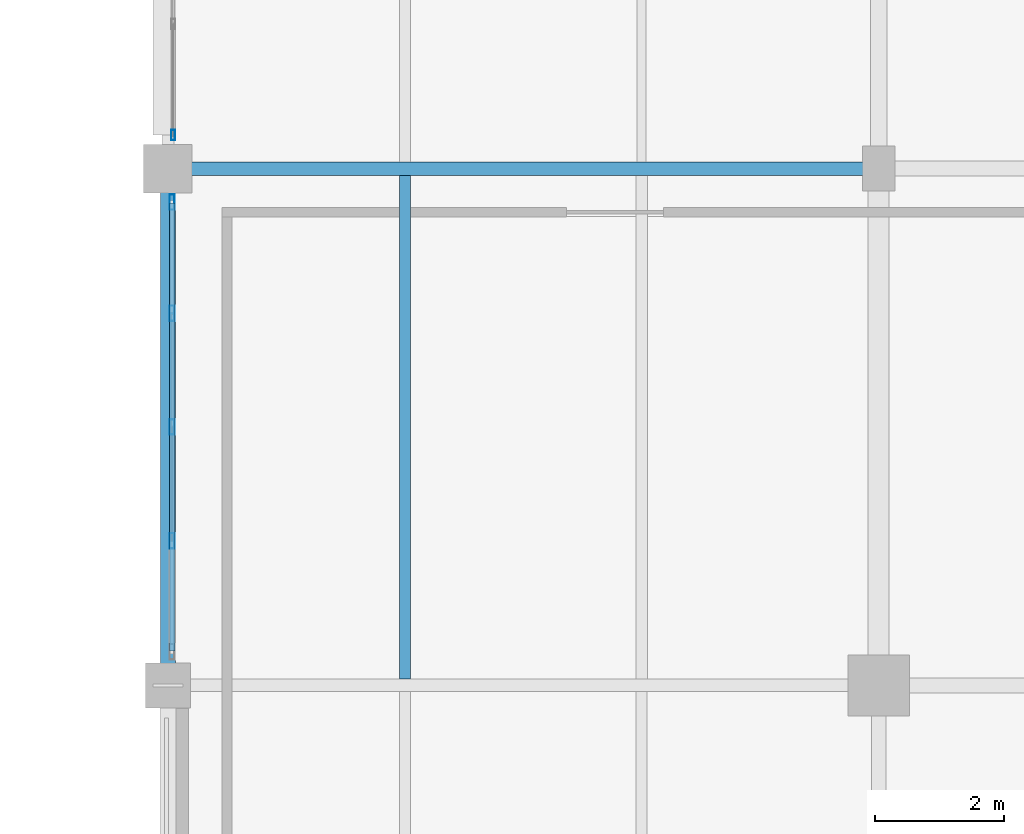
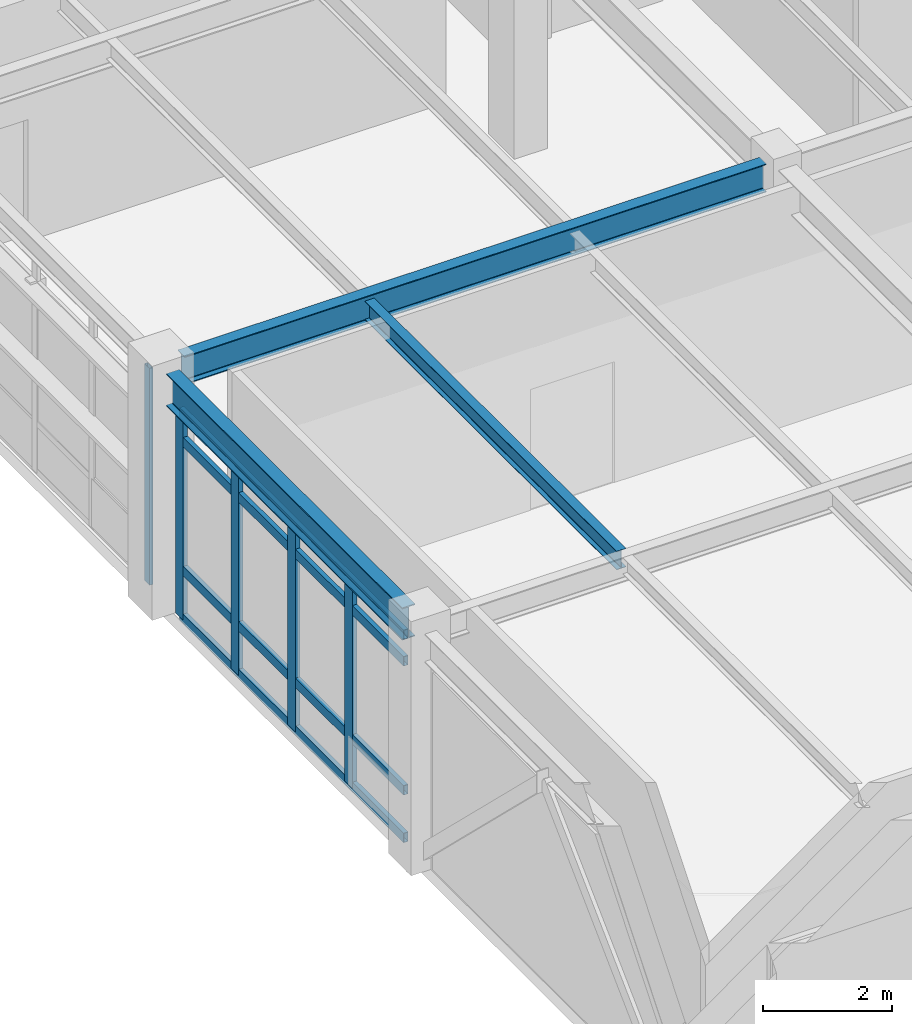
# One storey, part 65 of 200: 9 members, 3 beams, 2 elements without a shape of their own.
"""IFC4 building model written with IfcOpenShell, lengths in metres."""

from ifc_helpers import new_model, si_unit, direction, frame, origin, origin_2d, place, context, subcontext, project, spatial, hollow_rectangle, i_section, extrude, material, material_profile, profile_set, type_object, element, aggregate, save


model = new_model("IFC4")

# Units and contexts
model_context = context("Model", 3, precision=1e-05, world=origin(), true_north=direction((0.0, 1.0)))
body_context = subcontext(model_context, "Body", "Model", "MODEL_VIEW")
ifc_project = project(units=[si_unit("LENGTHUNIT", "METRE"), si_unit("AREAUNIT", "SQUARE_METRE"), si_unit("VOLUMEUNIT", "CUBIC_METRE"), si_unit("PLANEANGLEUNIT", "RADIAN"), si_unit("MASSUNIT", "GRAM", prefix="KILO"), si_unit("THERMODYNAMICTEMPERATUREUNIT", "KELVIN"), si_unit("POWERUNIT", "WATT")], contexts=[model_context])

# Site, building, storey
site_placement = place(None, origin())
site = spatial("IfcSite", under=ifc_project, at=site_placement, CompositionType="ELEMENT")
building_placement = place(site_placement, origin())
building = spatial("IfcBuilding", under=site, at=building_placement, Name="Tepalcoro Natatorium and Aquatics Centre", CompositionType="ELEMENT")
storey_placement = place(building_placement, frame((0.0, 0.0, 5.39990234375)))
storey = spatial("IfcBuildingStorey", under=building, at=storey_placement, Name="L01", CompositionType="ELEMENT", Elevation=5.39990234375)

# Beam
ifc_material_1 = material(Name="Steel ASTM A992 Grade 50 (Fy 345 MPa)", Category="steel")
ifc_material_profile_1 = material_profile(ifc_material_1, i_section(OverallWidth=0.2099609375, OverallDepth=0.532958984375, WebThickness=0.010009765625, FlangeThickness=0.01611328125, FilletRadius=0.013916015625, at=origin_2d()), Name="W21X62")
ifc_profile_set_1 = profile_set([ifc_material_profile_1], Name="Steel ASTM A992 Grade 50 (Fy 345 MPa)")
beam_type_1 = type_object("IfcBeamType", Name="BM_W21x62", PredefinedType="BEAM", material=ifc_profile_set_1)
beam_1_placement = place(storey_placement, frame((10.360107421875, 102.0, 4.298583984375), z_axis=(1.0, 0.0, 0.0), x_axis=(0.0, 1.0, 0.0)))
element("IfcBeam", 1, at=beam_1_placement, inside=storey, type_object=beam_type_1, Name="V4 L01 Grid Girder X", PredefinedType="BEAM", context=body_context, shape_type="SweptSolid", body=[
    extrude(i_section(OverallWidth=0.2099609375, OverallDepth=0.532958984375, WebThickness=0.010009765625, FlangeThickness=0.01611328125, FilletRadius=0.013916015625, at=origin_2d()), origin(), (0.0, 0.0, 1.0), 10.40478515625),
])

# Curtain wall, member
ifc_material_2 = material(Name="Bronze-Anodised Extruded Aluminium Alloy EN AW-6063 T6", Category="aluminium")
curtain_wall_type_1 = type_object("IfcCurtainWallType", Name="CW_LEAN_T1_EW", PredefinedType="USERDEFINED", material=ifc_material_2)
curtain_wall_1_placement = place(storey_placement, origin())
curtain_wall_1 = element("IfcCurtainWall", 2, at=curtain_wall_1_placement, inside=storey, type_object=curtain_wall_type_1, Name="V4 L01 W Unitised Curtain Wall Bay 3", ObjectType="FACETED SOLAR GLAZING", PredefinedType="USERDEFINED")
ifc_material_profile_2 = material_profile(ifc_material_2, hollow_rectangle(XDim=0.06005859375, YDim=0.159912109375, WallThickness=0.00390625, at=origin_2d()), Name="AL60X160X4")
ifc_profile_set_2 = profile_set([ifc_material_profile_2], Name="Bronze-Anodised Extruded Aluminium Alloy EN AW-6063 T6")
member_type_1 = type_object("IfcMemberType", Name="CW_MUL_60x160", PredefinedType="MULLION", material=ifc_profile_set_2)
member_1_placement = place(storey_placement, frame((10.080078125, 102.52001953125, 0.02001953125), z_axis=(0.0, 0.0, 1.0), x_axis=(1.0, 0.0, 0.0)))
member_1 = element("IfcMember", 3, at=member_1_placement, type_object=member_type_1, Name="CW_LEAN_T1_EW Curtain Wall Mullion", PredefinedType="MULLION", context=body_context, shape_type="SweptSolid", body=[
    extrude(hollow_rectangle(XDim=0.06005859375, YDim=0.159912109375, WallThickness=0.00390625, at=origin_2d()), origin(), (0.0, 0.0, 1.0), 4.09716796875),
])
aggregate(curtain_wall_1, [member_1])

# Curtain wall, members
curtain_wall_type_2 = type_object("IfcCurtainWallType", Name="CW_LEAN_T1_NS", PredefinedType="USERDEFINED", material=ifc_material_2)
curtain_wall_2_placement = place(storey_placement, origin())
curtain_wall_2 = element("IfcCurtainWall", 4, at=curtain_wall_2_placement, inside=storey, type_object=curtain_wall_type_2, Name="V4 L01 W Unitised Curtain Wall Bay 2", ObjectType="FACETED SOLAR GLAZING", PredefinedType="USERDEFINED")
ifc_material_profile_3 = material_profile(ifc_material_2, hollow_rectangle(XDim=0.080078125, YDim=0.239990234375, WallThickness=0.0048828125, at=origin_2d()), Name="AL80X240X5")
ifc_profile_set_3 = profile_set([ifc_material_profile_3], Name="Bronze-Anodised Extruded Aluminium Alloy EN AW-6063 T6")
member_type_2 = type_object("IfcMemberType", Name="CW_MUL_80x240", PredefinedType="MULLION", material=ifc_profile_set_3)
member_2_placement = place(storey_placement, frame((10.06494140625, 96.239990234375, 0.02001953125), z_axis=(0.0, 0.0, 1.0), x_axis=(1.0, 0.0, 0.0)))
member_2 = element("IfcMember", 5, at=member_2_placement, type_object=member_type_2, Name="CW_LEAN_T1_NS Curtain Wall Mullion", PredefinedType="MULLION", context=body_context, shape_type="SweptSolid", body=[
    extrude(hollow_rectangle(XDim=0.080078125, YDim=0.239990234375, WallThickness=0.0048828125, at=origin_2d()), origin(), (0.0, 0.0, 1.0), 3.898193359375),
])
member_3_placement = place(storey_placement, frame((10.06494140625, 98.0, 0.02001953125), z_axis=(0.0, 0.0, 1.0), x_axis=(1.0, 0.0, 0.0)))
member_3 = element("IfcMember", 6, at=member_3_placement, type_object=member_type_2, Name="CW_LEAN_T1_NS Curtain Wall Mullion", PredefinedType="MULLION", context=body_context, shape_type="SweptSolid", body=[
    extrude(hollow_rectangle(XDim=0.080078125, YDim=0.239990234375, WallThickness=0.0048828125, at=origin_2d()), origin(), (0.0, 0.0, 1.0), 3.898193359375),
])
member_4_placement = place(storey_placement, frame((10.06494140625, 99.760009765625, 0.02001953125), z_axis=(0.0, 0.0, 1.0), x_axis=(1.0, 0.0, 0.0)))
member_4 = element("IfcMember", 7, at=member_4_placement, type_object=member_type_2, Name="CW_LEAN_T1_NS Curtain Wall Mullion", PredefinedType="MULLION", context=body_context, shape_type="SweptSolid", body=[
    extrude(hollow_rectangle(XDim=0.080078125, YDim=0.239990234375, WallThickness=0.0048828125, at=origin_2d()), origin(), (0.0, 0.0, 1.0), 3.898193359375),
])
member_5_placement = place(storey_placement, frame((10.06494140625, 101.47998046875, 0.02001953125), z_axis=(0.0, 0.0, 1.0), x_axis=(1.0, 0.0, 0.0)))
member_5 = element("IfcMember", 8, at=member_5_placement, type_object=member_type_2, Name="CW_LEAN_T1_NS Curtain Wall Mullion", PredefinedType="MULLION", context=body_context, shape_type="SweptSolid", body=[
    extrude(hollow_rectangle(XDim=0.080078125, YDim=0.239990234375, WallThickness=0.0048828125, at=origin_2d()), origin(), (0.0, 0.0, 1.0), 3.898193359375),
])
ifc_material_profile_4 = material_profile(ifc_material_2, hollow_rectangle(XDim=0.080078125, YDim=0.179931640625, WallThickness=0.0048828125, at=origin_2d()), Name="AL80X180X5")
ifc_profile_set_4 = profile_set([ifc_material_profile_4], Name="Bronze-Anodised Extruded Aluminium Alloy EN AW-6063 T6")
member_type_3 = type_object("IfcMemberType", Name="CW_TRN_80x180", PredefinedType="USERDEFINED", material=ifc_profile_set_4)
member_6_placement = place(storey_placement, frame((10.06494140625, 94.530029296875, 0.050048828125), z_axis=(0.0, 1.0, 0.0), x_axis=(-1.0, 0.0, 0.0)))
member_6 = element("IfcMember", 9, at=member_6_placement, type_object=member_type_3, Name="CW_LEAN_T1_NS Curtain Wall Transom", ObjectType="TRANSOM", PredefinedType="USERDEFINED", context=body_context, shape_type="SweptSolid", body=[
    extrude(hollow_rectangle(XDim=0.080078125, YDim=0.179931640625, WallThickness=0.0048828125, at=origin_2d()), origin(), (0.0, 0.0, 1.0), 6.93994140625),
])
member_7_placement = place(storey_placement, frame((10.06494140625, 94.530029296875, 0.9501953125), z_axis=(0.0, 1.0, 0.0), x_axis=(-1.0, 0.0, 0.0)))
member_7 = element("IfcMember", 10, at=member_7_placement, type_object=member_type_3, Name="CW_LEAN_T1_NS Curtain Wall Transom", ObjectType="TRANSOM", PredefinedType="USERDEFINED", context=body_context, shape_type="SweptSolid", body=[
    extrude(hollow_rectangle(XDim=0.080078125, YDim=0.179931640625, WallThickness=0.0048828125, at=origin_2d()), origin(), (0.0, 0.0, 1.0), 6.93994140625),
])
member_8_placement = place(storey_placement, frame((10.06494140625, 94.530029296875, 3.38818359375), z_axis=(0.0, 1.0, 0.0), x_axis=(-1.0, 0.0, 0.0)))
member_8 = element("IfcMember", 11, at=member_8_placement, type_object=member_type_3, Name="CW_LEAN_T1_NS Curtain Wall Transom", ObjectType="TRANSOM", PredefinedType="USERDEFINED", context=body_context, shape_type="SweptSolid", body=[
    extrude(hollow_rectangle(XDim=0.080078125, YDim=0.179931640625, WallThickness=0.0048828125, at=origin_2d()), origin(), (0.0, 0.0, 1.0), 6.93994140625),
])
member_9_placement = place(storey_placement, frame((10.06494140625, 94.530029296875, 3.88818359375), z_axis=(0.0, 1.0, 0.0), x_axis=(-1.0, 0.0, 0.0)))
member_9 = element("IfcMember", 12, at=member_9_placement, type_object=member_type_3, Name="CW_LEAN_T1_NS Curtain Wall Transom", ObjectType="TRANSOM", PredefinedType="USERDEFINED", context=body_context, shape_type="SweptSolid", body=[
    extrude(hollow_rectangle(XDim=0.080078125, YDim=0.179931640625, WallThickness=0.0048828125, at=origin_2d()), origin(), (0.0, 0.0, 1.0), 6.93994140625),
])
aggregate(curtain_wall_2, [member_2, member_3, member_4, member_5, member_6, member_7, member_8, member_9])

# Beams
ifc_material_profile_5 = material_profile(ifc_material_1, i_section(OverallWidth=0.1708984375, OverallDepth=0.35107421875, WebThickness=0.007080078125, FlangeThickness=0.010009765625, FilletRadius=0.013916015625, at=origin_2d()), Name="W14X30")
ifc_profile_set_5 = profile_set([ifc_material_profile_5], Name="Steel ASTM A992 Grade 50 (Fy 345 MPa)")
beam_type_2 = type_object("IfcBeamType", Name="JS_W14x30", PredefinedType="JOIST", material=ifc_profile_set_5)
beam_2_placement = place(storey_placement, frame((13.666748046875, 94.096435546875, 4.3095703125), z_axis=(0.0, 1.0, 0.0), x_axis=(-1.0, 0.0, 0.0)))
element("IfcBeam", 13, at=beam_2_placement, inside=storey, type_object=beam_type_2, Name="V4 L01 Floor Joist", PredefinedType="JOIST", context=body_context, shape_type="SweptSolid", body=[
    extrude(i_section(OverallWidth=0.1708984375, OverallDepth=0.35107421875, WebThickness=0.007080078125, FlangeThickness=0.010009765625, FilletRadius=0.013916015625, at=origin_2d()), origin(), (0.0, 0.0, 1.0), 7.798583984375),
])
ifc_material_profile_6 = material_profile(ifc_material_1, i_section(OverallWidth=0.22900390625, OverallDepth=0.612060546875, WebThickness=0.011962890625, FlangeThickness=0.02001953125, FilletRadius=0.013916015625, at=origin_2d()), Name="W24X84")
ifc_profile_set_6 = profile_set([ifc_material_profile_6], Name="Steel ASTM A992 Grade 50 (Fy 345 MPa)")
beam_type_3 = type_object("IfcBeamType", Name="SP_W24x84", PredefinedType="SPANDREL", material=ifc_profile_set_6)
beam_3_placement = place(storey_placement, frame((10.0, 94.3349609375, 4.259033203125), z_axis=(0.0, 1.0, 0.0), x_axis=(-1.0, 0.0, 0.0)))
element("IfcBeam", 14, at=beam_3_placement, inside=storey, type_object=beam_type_3, Name="V4 L01 Grid Girder Y", PredefinedType="SPANDREL", context=body_context, shape_type="SweptSolid", body=[
    extrude(i_section(OverallWidth=0.22900390625, OverallDepth=0.612060546875, WebThickness=0.011962890625, FlangeThickness=0.02001953125, FilletRadius=0.013916015625, at=origin_2d()), origin(), (0.0, 0.0, 1.0), 7.304931640625),
])

save(model, "model.ifc")
